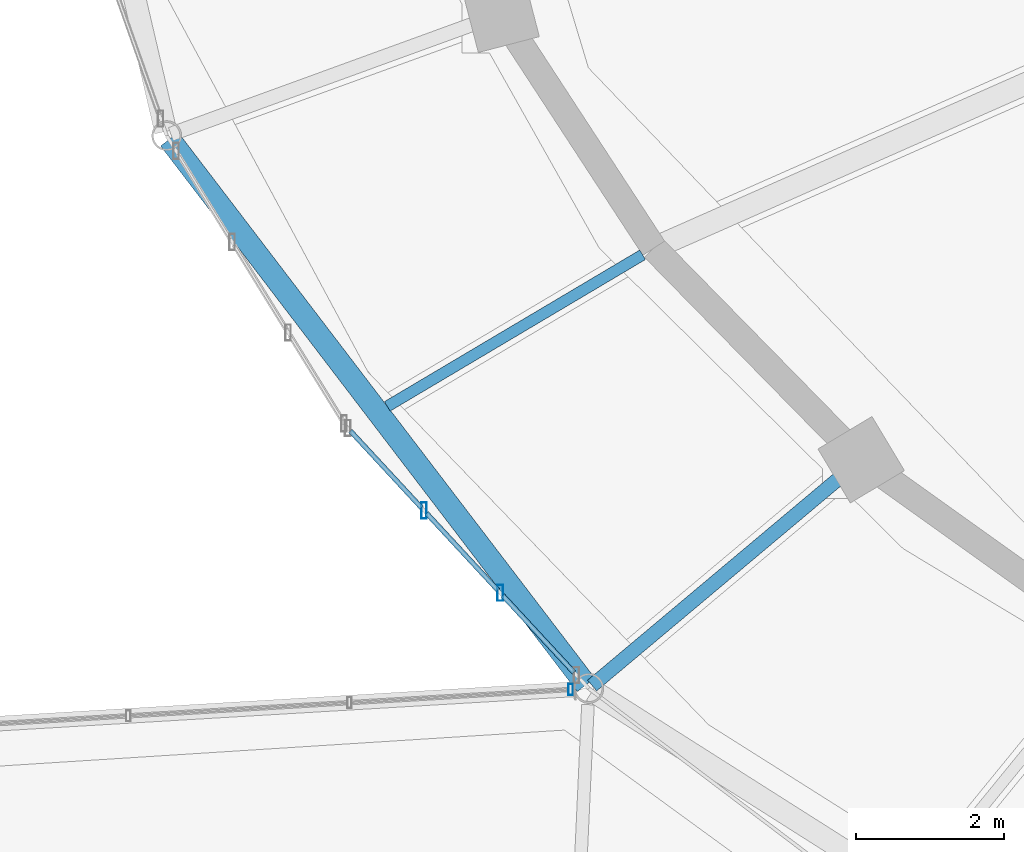
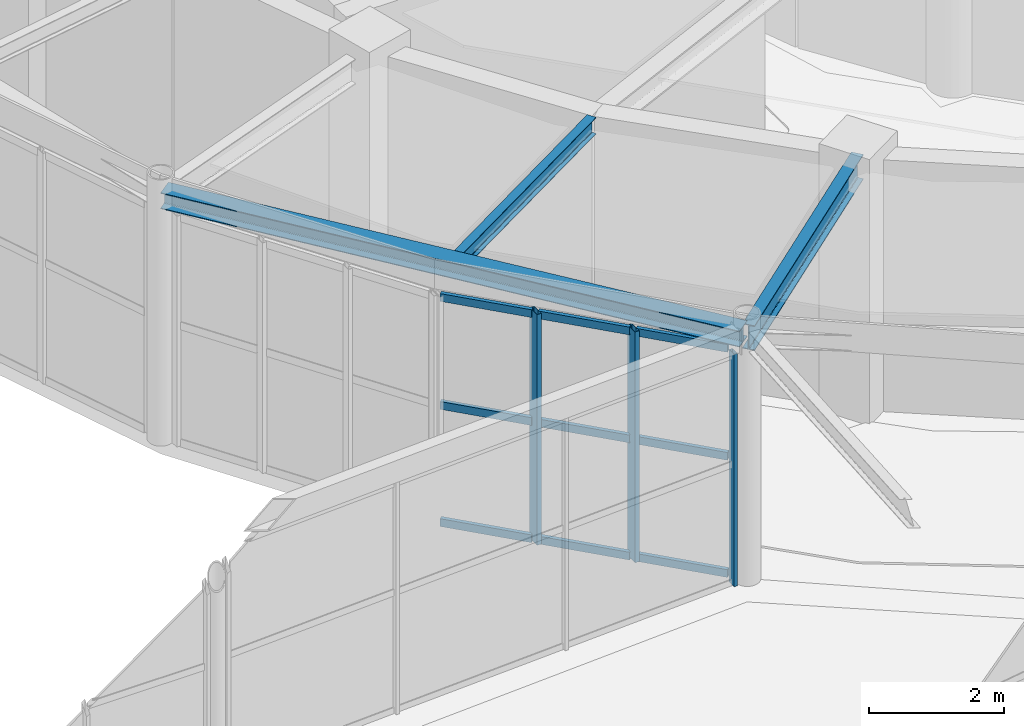
# One storey, part 26 of 100: 12 members, 3 beams, 2 elements without a shape of their own.
"""IFC4 building model written with IfcOpenShell, lengths in metres."""

from ifc_helpers import new_model, si_unit, direction, frame, origin, origin_2d, place, context, subcontext, project, spatial, hollow_rectangle, i_section, extrude, material, material_profile, profile_set, type_object, element, aggregate, save


model = new_model("IFC4")

# Units and contexts
model_context = context("Model", 3, precision=1e-05, world=origin(), true_north=direction((0.0, 1.0)))
body_context = subcontext(model_context, "Body", "Model", "MODEL_VIEW")
ifc_project = project(units=[si_unit("LENGTHUNIT", "METRE"), si_unit("AREAUNIT", "SQUARE_METRE"), si_unit("VOLUMEUNIT", "CUBIC_METRE"), si_unit("PLANEANGLEUNIT", "RADIAN"), si_unit("MASSUNIT", "GRAM", prefix="KILO")], contexts=[model_context])

# Site, building, storey
site_placement = place(None, origin())
site = spatial("IfcSite", under=ifc_project, at=site_placement, CompositionType="ELEMENT")
building_placement = place(site_placement, origin())
building = spatial("IfcBuilding", under=site, at=building_placement, Name="Tarnveldt Headland Concert Hall", CompositionType="ELEMENT")
storey_placement = place(building_placement, frame((0.0, 0.0, 4.800048828125)))
storey = spatial("IfcBuildingStorey", under=building, at=storey_placement, Name="L01", CompositionType="ELEMENT", Elevation=4.800048828125)

# Curtain wall, member
ifc_material_1 = material(Name="Marine-anodised aluminium EN AW-6063-T6", Category="aluminium")
curtain_wall_type_1 = type_object("IfcCurtainWallType", Name="CW-L2", PredefinedType="NOTDEFINED", material=ifc_material_1)
curtain_wall_1_placement = place(storey_placement, origin())
curtain_wall_1 = element("IfcCurtainWall", 1, at=curtain_wall_1_placement, inside=storey, type_object=curtain_wall_type_1, Name="Curtain wall CW-L01-176", PredefinedType="NOTDEFINED")
ifc_material_profile_1 = material_profile(ifc_material_1, hollow_rectangle(XDim=0.06005859375, YDim=0.14990234375, WallThickness=0.00390625, at=origin_2d()), Name="ALU MULLION 60x150x4", Category="aluminium")
ifc_profile_set_1 = profile_set([ifc_material_profile_1], Name="Marine-anodised aluminium EN AW-6063-T6")
member_type_1 = type_object("IfcMemberType", Name="ML-150", PredefinedType="MULLION", material=ifc_profile_set_1)
member_1_placement = place(storey_placement, frame((58.130859375, 38.54443359375, 0.0), z_axis=(0.0, 0.0, 1.0), x_axis=(1.0, 0.0, 0.0)))
member_1 = element("IfcMember", 2, at=member_1_placement, type_object=member_type_1, Name="Mullion CW-L01-176-4", PredefinedType="MULLION", context=body_context, shape_type="SweptSolid", body=[
    extrude(hollow_rectangle(XDim=0.06005859375, YDim=0.14990234375, WallThickness=0.00390625, at=origin_2d()), origin(), (0.0, 0.0, 1.0), 4.19287109375),
])
aggregate(curtain_wall_1, [member_1])

# Curtain wall, members
curtain_wall_type_2 = type_object("IfcCurtainWallType", Name="CW-F2", PredefinedType="NOTDEFINED", material=ifc_material_1)
curtain_wall_2_placement = place(storey_placement, origin())
curtain_wall_2 = element("IfcCurtainWall", 3, at=curtain_wall_2_placement, inside=storey, type_object=curtain_wall_type_2, Name="Curtain wall CW-L01-048", PredefinedType="NOTDEFINED")
ifc_material_profile_2 = material_profile(ifc_material_1, hollow_rectangle(XDim=0.074951171875, YDim=0.219970703125, WallThickness=0.0048828125, at=origin_2d()), Name="ALU MULLION 75x220x5", Category="aluminium")
ifc_profile_set_2 = profile_set([ifc_material_profile_2], Name="Marine-anodised aluminium EN AW-6063-T6")
member_type_2 = type_object("IfcMemberType", Name="ML-200", PredefinedType="MULLION", material=ifc_profile_set_2)
member_2_placement = place(storey_placement, frame((56.150634765625, 40.959716796875, 0.0), z_axis=(0.0, 0.0, 1.0), x_axis=(1.0, 0.0, 0.0)))
member_2 = element("IfcMember", 4, at=member_2_placement, type_object=member_type_2, Name="Mullion CW-L01-048-2", PredefinedType="MULLION", context=body_context, shape_type="SweptSolid", body=[
    extrude(hollow_rectangle(XDim=0.074951171875, YDim=0.219970703125, WallThickness=0.0048828125, at=origin_2d()), origin(), (0.0, 0.0, 1.0), 4.159912109375),
])
member_3_placement = place(storey_placement, frame((57.179443359375, 39.848388671875, 0.0), z_axis=(0.0, 0.0, 1.0), x_axis=(1.0, 0.0, 0.0)))
member_3 = element("IfcMember", 5, at=member_3_placement, type_object=member_type_2, Name="Mullion CW-L01-048-3", PredefinedType="MULLION", context=body_context, shape_type="SweptSolid", body=[
    extrude(hollow_rectangle(XDim=0.074951171875, YDim=0.219970703125, WallThickness=0.0048828125, at=origin_2d()), origin(), (0.0, 0.0, 1.0), 4.159912109375),
])

# Beams
ifc_material_2 = material(Name="Steel S355", Category="steel")
ifc_material_profile_3 = material_profile(ifc_material_2, i_section(OverallWidth=0.300048828125, OverallDepth=0.2900390625, WebThickness=0.008544921875, FlangeThickness=0.013916015625, FilletRadius=0.027099609375, at=origin_2d()), Name="HEA300", Category="steel")
ifc_profile_set_3 = profile_set([ifc_material_profile_3], Name="Steel S355")
beam_type_1 = type_object("IfcBeamType", Name="SB-HEA300", PredefinedType="SPANDREL", material=ifc_profile_set_3)
beam_1_placement = place(storey_placement, frame((52.714599609375, 45.97021484375, 4.39501953125), z_axis=(0.606896353007, -0.794780986629, 0.0), x_axis=(0.794780986629, 0.606896353007, 0.0)))
element("IfcBeam", 6, at=beam_1_placement, inside=storey, type_object=beam_type_1, Name="Framing beam L01-708", PredefinedType="SPANDREL", context=body_context, shape_type="SweptSolid", body=[
    extrude(i_section(OverallWidth=0.300048828125, OverallDepth=0.2900390625, WebThickness=0.008544921875, FlangeThickness=0.013916015625, FilletRadius=0.027099609375, at=origin_2d()), origin(), (0.0, 0.0, 1.0), 9.264892578125),
])
ifc_material_profile_4 = material_profile(ifc_material_2, i_section(OverallWidth=0.14990234375, OverallDepth=0.300048828125, WebThickness=0.007080078125, FlangeThickness=0.0107421875, FilletRadius=0.014892578125, at=origin_2d()), Name="IPE300", Category="steel")
ifc_profile_set_4 = profile_set([ifc_material_profile_4], Name="Steel S355")
beam_type_2 = type_object("IfcBeamType", Name="SB-IPE300", PredefinedType="JOIST", material=ifc_profile_set_4)
beam_2_placement = place(storey_placement, frame((59.100830078125, 44.41064453125, 4.389892578125), z_axis=(-0.859902377377, -0.510458520726, 0.0), x_axis=(0.510458520726, -0.859902377377, 0.0)))
element("IfcBeam", 7, at=beam_2_placement, inside=storey, type_object=beam_type_2, Name="Framing beam L01-710", PredefinedType="JOIST", context=body_context, shape_type="SweptSolid", body=[
    extrude(i_section(OverallWidth=0.14990234375, OverallDepth=0.300048828125, WebThickness=0.007080078125, FlangeThickness=0.0107421875, FilletRadius=0.014892578125, at=origin_2d()), origin(), (0.0, 0.0, 1.0), 4.007568359375),
])
ifc_material_profile_5 = material_profile(ifc_material_2, i_section(OverallWidth=0.18994140625, OverallDepth=0.449951171875, WebThickness=0.009521484375, FlangeThickness=0.0146484375, FilletRadius=0.02099609375, at=origin_2d()), Name="IPE450", Category="steel")
ifc_profile_set_5 = profile_set([ifc_material_profile_5], Name="Steel S355")
beam_type_3 = type_object("IfcBeamType", Name="SB-IPE450", PredefinedType="BEAM", material=ifc_profile_set_5)
beam_3_placement = place(storey_placement, frame((62.020263671875, 41.618408203125, 4.31494140625), z_axis=(-0.76607107782, -0.642755866351, 0.0), x_axis=(0.642755866351, -0.76607107782, 0.0)))
element("IfcBeam", 8, at=beam_3_placement, inside=storey, type_object=beam_type_3, Name="Framing beam L01-712", PredefinedType="BEAM", context=body_context, shape_type="SweptSolid", body=[
    extrude(i_section(OverallWidth=0.18994140625, OverallDepth=0.449951171875, WebThickness=0.009521484375, FlangeThickness=0.0146484375, FilletRadius=0.02099609375, at=origin_2d()), origin(), (0.0, 0.0, 1.0), 4.699951171875),
])

# Member
ifc_material_profile_6 = material_profile(ifc_material_1, hollow_rectangle(XDim=0.06494140625, YDim=0.139892578125, WallThickness=0.00390625, at=origin_2d()), Name="ALU TRANSOM 65x140x4", Category="aluminium")
ifc_profile_set_6 = profile_set([ifc_material_profile_6], Name="Marine-anodised aluminium EN AW-6063-T6")
member_type_3 = type_object("IfcMemberType", Name="TR-140", PredefinedType="MEMBER", material=ifc_profile_set_6)
member_4_placement = place(storey_placement, frame((55.1552734375, 42.034423828125, 0.050048828125), z_axis=(0.679418349957, -0.733751119755, 0.0), x_axis=(0.733751119755, 0.679418349957, 0.0)))
member_4 = element("IfcMember", 9, at=member_4_placement, type_object=member_type_3, Name="Transom CW-L01-048-1-1", PredefinedType="MEMBER", context=body_context, shape_type="SweptSolid", body=[
    extrude(hollow_rectangle(XDim=0.06494140625, YDim=0.139892578125, WallThickness=0.00390625, at=origin_2d()), origin(), (0.0, 0.0, 1.0), 1.41552734375),
])

member_5_placement = place(storey_placement, frame((55.1552734375, 42.034423828125, 2.1630859375), z_axis=(0.679418349957, -0.733751119755, 0.0), x_axis=(0.733751119755, 0.679418349957, 0.0)))
member_5 = element("IfcMember", 10, at=member_5_placement, type_object=member_type_3, Name="Transom CW-L01-048-1-2", PredefinedType="MEMBER", context=body_context, shape_type="SweptSolid", body=[
    extrude(hollow_rectangle(XDim=0.06494140625, YDim=0.139892578125, WallThickness=0.00390625, at=origin_2d()), origin(), (0.0, 0.0, 1.0), 1.41552734375),
])

member_6_placement = place(storey_placement, frame((55.1552734375, 42.034423828125, 4.10986328125), z_axis=(0.679418349957, -0.733751119755, 0.0), x_axis=(0.733751119755, 0.679418349957, 0.0)))
member_6 = element("IfcMember", 11, at=member_6_placement, type_object=member_type_3, Name="Transom CW-L01-048-1-3", PredefinedType="MEMBER", context=body_context, shape_type="SweptSolid", body=[
    extrude(hollow_rectangle(XDim=0.06494140625, YDim=0.139892578125, WallThickness=0.00390625, at=origin_2d()), origin(), (0.0, 0.0, 1.0), 1.41552734375),
])

member_7_placement = place(storey_placement, frame((56.18408203125, 40.923095703125, 0.050048828125), z_axis=(0.679597183655, -0.733585487839, 0.0), x_axis=(0.733585487839, 0.679597183655, 0.0)))
member_7 = element("IfcMember", 12, at=member_7_placement, type_object=member_type_3, Name="Transom CW-L01-048-2-1", PredefinedType="MEMBER", context=body_context, shape_type="SweptSolid", body=[
    extrude(hollow_rectangle(XDim=0.06494140625, YDim=0.139892578125, WallThickness=0.00390625, at=origin_2d()), origin(), (0.0, 0.0, 1.0), 1.41552734375),
])

member_8_placement = place(storey_placement, frame((56.18408203125, 40.923095703125, 2.1630859375), z_axis=(0.679597183655, -0.733585487839, 0.0), x_axis=(0.733585487839, 0.679597183655, 0.0)))
member_8 = element("IfcMember", 13, at=member_8_placement, type_object=member_type_3, Name="Transom CW-L01-048-2-2", PredefinedType="MEMBER", context=body_context, shape_type="SweptSolid", body=[
    extrude(hollow_rectangle(XDim=0.06494140625, YDim=0.139892578125, WallThickness=0.00390625, at=origin_2d()), origin(), (0.0, 0.0, 1.0), 1.41552734375),
])

member_9_placement = place(storey_placement, frame((56.18408203125, 40.923095703125, 4.10986328125), z_axis=(0.679597183655, -0.733585487839, 0.0), x_axis=(0.733585487839, 0.679597183655, 0.0)))
member_9 = element("IfcMember", 14, at=member_9_placement, type_object=member_type_3, Name="Transom CW-L01-048-2-3", PredefinedType="MEMBER", context=body_context, shape_type="SweptSolid", body=[
    extrude(hollow_rectangle(XDim=0.06494140625, YDim=0.139892578125, WallThickness=0.00390625, at=origin_2d()), origin(), (0.0, 0.0, 1.0), 1.41552734375),
])

member_10_placement = place(storey_placement, frame((57.213134765625, 39.81201171875, 0.050048828125), z_axis=(0.679504344073, -0.733671483966, 0.0), x_axis=(0.733671483966, 0.679504344073, 0.0)))
member_10 = element("IfcMember", 15, at=member_10_placement, type_object=member_type_3, Name="Transom CW-L01-048-3-1", PredefinedType="MEMBER", context=body_context, shape_type="SweptSolid", body=[
    extrude(hollow_rectangle(XDim=0.06494140625, YDim=0.139892578125, WallThickness=0.00390625, at=origin_2d()), origin(), (0.0, 0.0, 1.0), 1.415283203125),
])

member_11_placement = place(storey_placement, frame((57.213134765625, 39.81201171875, 2.1630859375), z_axis=(0.679504344073, -0.733671483966, 0.0), x_axis=(0.733671483966, 0.679504344073, 0.0)))
member_11 = element("IfcMember", 16, at=member_11_placement, type_object=member_type_3, Name="Transom CW-L01-048-3-2", PredefinedType="MEMBER", context=body_context, shape_type="SweptSolid", body=[
    extrude(hollow_rectangle(XDim=0.06494140625, YDim=0.139892578125, WallThickness=0.00390625, at=origin_2d()), origin(), (0.0, 0.0, 1.0), 1.415283203125),
])

member_12_placement = place(storey_placement, frame((57.213134765625, 39.81201171875, 4.10986328125), z_axis=(0.679504344073, -0.733671483966, 0.0), x_axis=(0.733671483966, 0.679504344073, 0.0)))
member_12 = element("IfcMember", 17, at=member_12_placement, type_object=member_type_3, Name="Transom CW-L01-048-3-3", PredefinedType="MEMBER", context=body_context, shape_type="SweptSolid", body=[
    extrude(hollow_rectangle(XDim=0.06494140625, YDim=0.139892578125, WallThickness=0.00390625, at=origin_2d()), origin(), (0.0, 0.0, 1.0), 1.415283203125),
])

aggregate(curtain_wall_2, [member_2, member_3, member_4, member_5, member_6, member_7, member_8, member_9, member_10, member_11, member_12])

save(model, "model.ifc")
